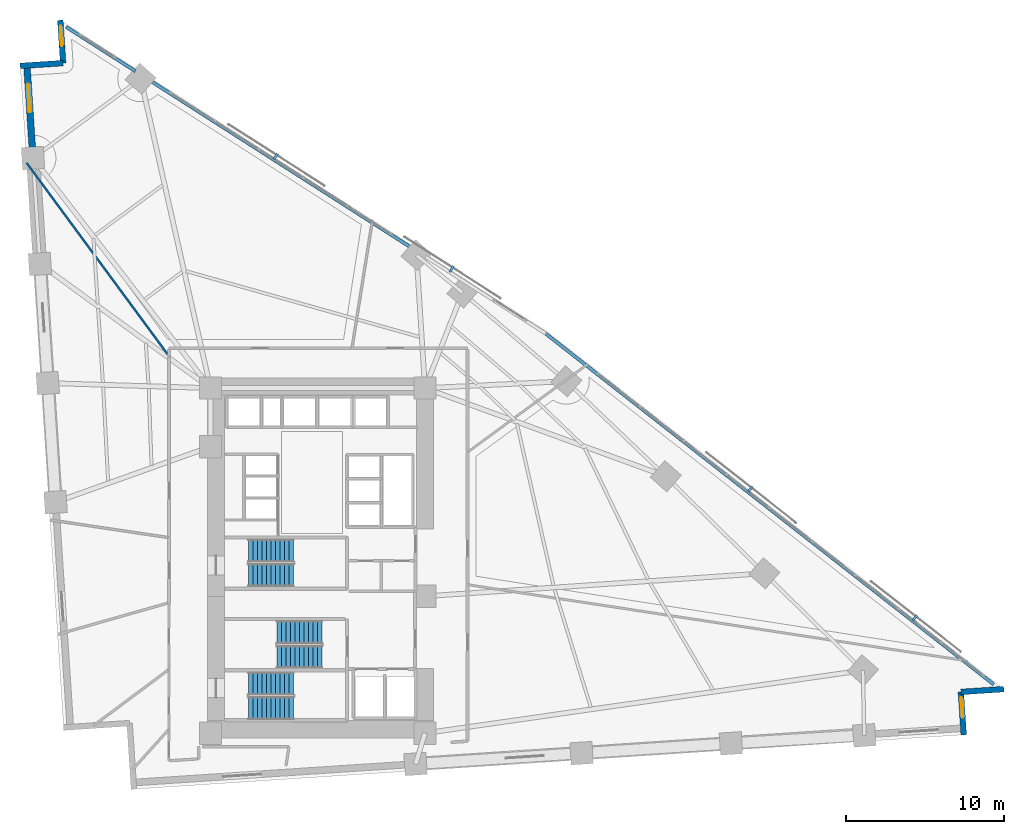
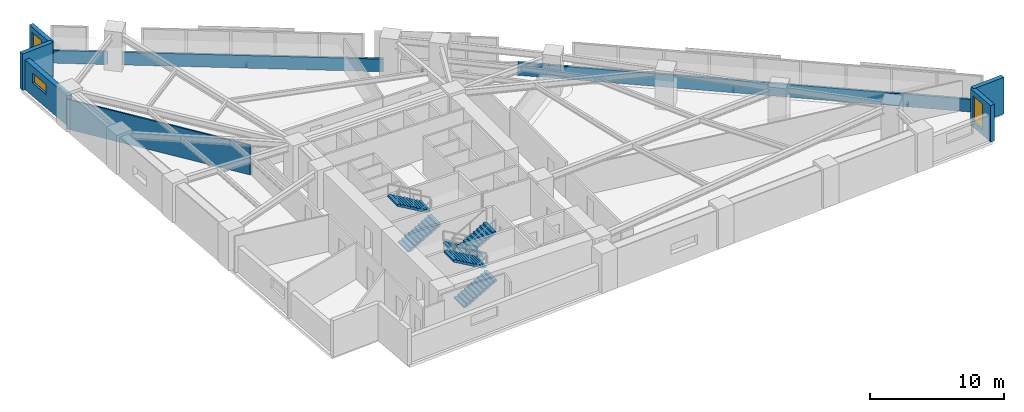
# One storey, part 14 of 16: 9 walls, 6 stair flights, 4 discrete accessories, 3 windows, 3 openings, 3 elements without a shape of their own.
"""IFC4 building model written with IfcOpenShell, lengths in metres."""

from ifc_helpers import new_model, si_unit, direction, frame, frame_2d, origin, origin_2d, place, context, subcontext, project, spatial, polyline, rectangle, outline, extrude, material, layer, layer_set, type_object, element, fill, aggregate, save


model = new_model("IFC4")

# Units and contexts
model_context = context("Model", 3, precision=1e-05, world=origin(), true_north=direction((0.0, 1.0)))
body_context = subcontext(model_context, "Body", "Model", "MODEL_VIEW")
ifc_project = project(units=[si_unit("LENGTHUNIT", "METRE"), si_unit("AREAUNIT", "SQUARE_METRE"), si_unit("VOLUMEUNIT", "CUBIC_METRE"), si_unit("PLANEANGLEUNIT", "RADIAN"), si_unit("MASSUNIT", "GRAM", prefix="KILO")], contexts=[model_context])

# Site, building, storey
site_placement = place(None, origin())
site = spatial("IfcSite", under=ifc_project, at=site_placement, CompositionType="ELEMENT")
building_placement = place(site_placement, origin())
building = spatial("IfcBuilding", under=site, at=building_placement, Name="Narakoshi Arena Tower", CompositionType="ELEMENT")
storey_placement = place(building_placement, frame((0.0, 0.0, 88.5)))
storey = spatial("IfcBuildingStorey", under=building, at=storey_placement, Name="L23", CompositionType="ELEMENT", Elevation=88.5)

# Walls
ifc_material_1 = material(Name="Precast concrete C45/55", Category="concrete")
ifc_layer_1 = layer(ifc_material_1, 0.25)
ifc_layer_set_1 = layer_set([ifc_layer_1], Name="Precast concrete C45/55")
wall_type_1 = type_object("IfcWallType", Name="WL-PARA-250", PredefinedType="PARAPET", material=ifc_layer_set_1)
wall_1_placement = place(storey_placement, frame((121.47607421875, 37.781494140625, 0.0), z_axis=(0.0, 0.0, 1.0), x_axis=(-0.787385636484, 0.61646075257, 0.0)))
element("IfcWall", 1, at=wall_1_placement, inside=storey, type_object=wall_type_1, Name="L23 Hypotenuse Sill Upstand Parapet 1-01", PredefinedType="PARAPET", context=body_context, shape_type="SweptSolid", body=[
    extrude(rectangle(XDim=35.957275390625, YDim=0.199951171875, at=frame_2d((17.978515625, 0.0))), origin(), (0.0, 0.0, 1.0), 1.14990234375),
])
wall_2_placement = place(storey_placement, frame((84.681640625, 65.372314453125, 0.0), z_axis=(0.0, 0.0, 1.0), x_axis=(-0.842418773655, 0.538823356763, 0.0)))
element("IfcWall", 2, at=wall_2_placement, inside=storey, type_object=wall_type_1, Name="L23 Hypotenuse Sill Upstand Parapet 2-02", PredefinedType="PARAPET", context=body_context, shape_type="SweptSolid", body=[
    extrude(rectangle(XDim=19.612060546875, YDim=0.199951171875, at=frame_2d((9.80615234375, 0.0))), origin(), (0.0, 0.0, 1.0), 1.14990234375),
])
wall_3_placement = place(storey_placement, frame((67.2568359375, 76.517578125, 0.0), z_axis=(0.0, 0.0, 1.0), x_axis=(-0.842403631411, 0.538847030042, 0.0)))
element("IfcWall", 3, at=wall_3_placement, inside=storey, type_object=wall_type_1, Name="L23 Hypotenuse Sill Upstand Parapet 2-03", PredefinedType="PARAPET", context=body_context, shape_type="SweptSolid", body=[
    extrude(rectangle(XDim=5.1962890625, YDim=0.199951171875, at=frame_2d((2.59814453125, 0.0))), origin(), (0.0, 0.0, 1.0), 1.14990234375),
])
ifc_material_2 = material(Name="Gypsum plasterboard fire-rated partition")
ifc_layer_2 = layer(ifc_material_2, 0.125)
ifc_layer_set_2 = layer_set([ifc_layer_2], Name="Gypsum plasterboard fire-rated partition")
wall_type_2 = type_object("IfcWallType", Name="WL-PART-125", PredefinedType="PARTITIONING", material=ifc_layer_set_2)
wall_4_placement = place(storey_placement, frame((69.285400390625, 58.64306640625, 0.0), z_axis=(0.0, 0.0, 1.0), x_axis=(-0.59305096897, 0.805164919879, 0.0)))
element("IfcWall", 4, at=wall_4_placement, inside=storey, type_object=wall_type_2, Name="L23 Inter-Room Partition 08-09", PredefinedType="PARTITIONING", context=body_context, shape_type="SweptSolid", body=[
    extrude(rectangle(XDim=15.01806640625, YDim=0.125, at=frame_2d((7.509033203125, 0.0))), origin(), (0.0, 0.0, 1.0), 2.72509765625),
])

# Wall, opening, window
ifc_layer_3 = layer(ifc_material_1, 0.419921875)
ifc_layer_set_3 = layer_set([ifc_layer_3], Name="Precast concrete C45/55")
wall_type_3 = type_object("IfcWallType", Name="WL-POD-420", PredefinedType="SOLIDWALL", material=ifc_layer_set_3)
wall_5_placement = place(storey_placement, frame((60.40185546875, 76.8828125, 0.0), z_axis=(0.0, 0.0, 1.0), x_axis=(0.065402662459, -0.997858953832, 0.0)))
wall_5 = element("IfcWall", 5, at=wall_5_placement, inside=storey, type_object=wall_type_3, Name="L23 Architectural Concrete Facade Wall LEGB-1", PredefinedType="SOLIDWALL", context=body_context, shape_type="SweptSolid", body=[
    extrude(rectangle(XDim=5.8642578125, YDim=0.419921875, at=frame_2d((2.93212890625, 0.0))), origin(), (0.0, 0.0, 1.0), 2.72509765625),
])
opening_1_placement = place(wall_5_placement, frame((1.1708984375, 0.0, 1.199951171875)))
opening_1 = element("IfcOpeningElement", 6, at=opening_1_placement, cuts=wall_5, Name="Opening WN-02", PredefinedType="OPENING", context=body_context, shape_type="SweptSolid", body=[
    extrude(rectangle(XDim=1.800048828125, YDim=0.89990234375, at=frame_2d((0.89990234375, 0.449951171875))), frame((0.0, 0.219970703125, 0.0), z_axis=(0.0, -1.0, 0.0), x_axis=(1.0, 0.0, 0.0)), (0.0, 0.0, 1.0), 0.43994140625),
])
ifc_material_3 = material(Name="Bronze-tinted low-E laminated glass", Category="glass")
window_type_1 = type_object("IfcWindowType", Name="WIN-SLT-18x09", PartitioningType="SINGLE_PANEL", PredefinedType="WINDOW", material=ifc_material_3)
window_1_placement = place(opening_1_placement, origin())
window_1 = element("IfcWindow", 7, at=window_1_placement, inside=storey, type_object=window_type_1, Name="L23 LEGB1 Horizontal Slot Window 1", OverallHeight=0.89990234375, OverallWidth=1.800048828125, PartitioningType="SINGLE_PANEL", PredefinedType="WINDOW", context=body_context, shape_type="SweptSolid", body=[
    extrude(rectangle(XDim=1.800048828125, YDim=0.89990234375, at=frame_2d((0.89990234375, 0.449951171875))), frame((0.0, 0.030029296875, 0.0), z_axis=(0.0, -1.0, 0.0), x_axis=(1.0, 0.0, 0.0)), (0.0, 0.0, 1.0), 0.06005859375),
])
fill(opening_1, window_1)

wall_6_placement = place(storey_placement, frame((119.58447265625, 34.594482421875, 0.0), z_axis=(0.0, 0.0, 1.0), x_axis=(-0.065427374496, 0.997857333824, 0.0)))
wall_6 = element("IfcWall", 8, at=wall_6_placement, inside=storey, type_object=wall_type_3, Name="L23 Re-Entrant Corner Notch Wall NTE-1", PredefinedType="SOLIDWALL", context=body_context, shape_type="SweptSolid", body=[
    extrude(rectangle(XDim=2.716552734375, YDim=0.360107421875, at=frame_2d((1.3583984375, 0.0))), origin(), (0.0, 0.0, 1.0), 3.340087890625),
])
opening_2_placement = place(wall_6_placement, frame((1.076416015625, 0.0, 0.449951171875)))
opening_2 = element("IfcOpeningElement", 9, at=opening_2_placement, cuts=wall_6, Name="Opening WN-06", PredefinedType="OPENING", context=body_context, shape_type="SweptSolid", body=[
    extrude(rectangle(XDim=1.300048828125, YDim=2.39990234375, at=frame_2d((0.64990234375, 1.199951171875))), frame((0.0, 0.18994140625, 0.0), z_axis=(0.0, -1.0, 0.0), x_axis=(1.0, 0.0, 0.0)), (0.0, 0.0, 1.0), 0.380126953125),
])
window_type_2 = type_object("IfcWindowType", Name="WIN-NTC-16x24", PartitioningType="SINGLE_PANEL", PredefinedType="WINDOW", material=ifc_material_3)
window_2_placement = place(opening_2_placement, origin())
window_2 = element("IfcWindow", 10, at=window_2_placement, inside=storey, type_object=window_type_2, Name="L23 Corner Notch Window NTE", OverallHeight=2.39990234375, OverallWidth=1.300048828125, PartitioningType="SINGLE_PANEL", PredefinedType="WINDOW", context=body_context, shape_type="SweptSolid", body=[
    extrude(rectangle(XDim=1.300048828125, YDim=2.39990234375, at=frame_2d((0.64990234375, 1.199951171875))), frame((0.0, 0.030029296875, 0.0), z_axis=(0.0, -1.0, 0.0), x_axis=(1.0, 0.0, 0.0)), (0.0, 0.0, 1.0), 0.06005859375),
])
fill(opening_2, window_2)

# Wall
wall_7_placement = place(storey_placement, frame((119.40673828125, 37.30517578125, 0.0), z_axis=(0.0, 0.0, 1.0), x_axis=(0.99785694905, 0.065433242561, 0.0)))
element("IfcWall", 11, at=wall_7_placement, inside=storey, type_object=wall_type_3, Name="L23 Re-Entrant Corner Notch Wall NTE-2", PredefinedType="SOLIDWALL", context=body_context, shape_type="SweptSolid", body=[
    extrude(rectangle(XDim=2.71630859375, YDim=0.360107421875, at=frame_2d((1.358154296875, 0.0))), origin(), (0.0, 0.0, 1.0), 3.340087890625),
])

# Wall, opening, window
wall_8_placement = place(storey_placement, frame((62.5107421875, 79.743408203125, 0.0), z_axis=(0.0, 0.0, 1.0), x_axis=(0.065337885661, -0.997863197386, 0.0)))
wall_8 = element("IfcWall", 12, at=wall_8_placement, inside=storey, type_object=wall_type_3, Name="L23 Re-Entrant Corner Notch Wall NTN-1", PredefinedType="SOLIDWALL", context=body_context, shape_type="SweptSolid", body=[
    extrude(rectangle(XDim=2.716552734375, YDim=0.360107421875, at=frame_2d((1.3583984375, 0.0))), origin(), (0.0, 0.0, 1.0), 3.340087890625),
])
opening_3_placement = place(wall_8_placement, frame((0.340087890625, 0.0, 0.449951171875)))
opening_3 = element("IfcOpeningElement", 13, at=opening_3_placement, cuts=wall_8, Name="Opening WN-06", PredefinedType="OPENING", context=body_context, shape_type="SweptSolid", body=[
    extrude(rectangle(XDim=1.300048828125, YDim=2.39990234375, at=frame_2d((0.64990234375, 1.199951171875))), frame((0.0, 0.18994140625, 0.0), z_axis=(0.0, -1.0, 0.0), x_axis=(1.0, 0.0, 0.0)), (0.0, 0.0, 1.0), 0.380126953125),
])
window_3_placement = place(opening_3_placement, origin())
window_3 = element("IfcWindow", 14, at=window_3_placement, inside=storey, type_object=window_type_2, Name="L23 Corner Notch Window NTN", OverallHeight=2.39990234375, OverallWidth=1.300048828125, PartitioningType="SINGLE_PANEL", PredefinedType="WINDOW", context=body_context, shape_type="SweptSolid", body=[
    extrude(rectangle(XDim=1.300048828125, YDim=2.39990234375, at=frame_2d((0.64990234375, 1.199951171875))), frame((0.0, 0.030029296875, 0.0), z_axis=(0.0, -1.0, 0.0), x_axis=(1.0, 0.0, 0.0)), (0.0, 0.0, 1.0), 0.06005859375),
])
fill(opening_3, window_3)

# Wall
wall_9_placement = place(storey_placement, frame((62.688232421875, 77.03271484375, 0.0), z_axis=(0.0, 0.0, 1.0), x_axis=(-0.99785694905, -0.065433242561, 0.0)))
element("IfcWall", 15, at=wall_9_placement, inside=storey, type_object=wall_type_3, Name="L23 Re-Entrant Corner Notch Wall NTN-2", PredefinedType="SOLIDWALL", context=body_context, shape_type="SweptSolid", body=[
    extrude(rectangle(XDim=2.71630859375, YDim=0.360107421875, at=frame_2d((1.358154296875, 0.0))), origin(), (0.0, 0.0, 1.0), 3.340087890625),
])

# Stair, stair flights
ifc_material_4 = material(Name="Concrete C45/55", Category="concrete")
stair_type = type_object("IfcStairType", Name="STR-CORE-360", PredefinedType="TWO_STRAIGHT_RUN_STAIR", material=ifc_material_4)
stair_1_placement = place(storey_placement, origin())
stair_1 = element("IfcStair", 16, at=stair_1_placement, inside=storey, type_object=stair_type, Name="L23 Core Escape Stair ST1", PredefinedType="TWO_STRAIGHT_RUN_STAIR")
stair_flight_type = type_object("IfcStairFlightType", Name="FLT-145-160", PredefinedType="STRAIGHT", material=ifc_material_1)
stair_flight_1_placement = place(storey_placement, frame((74.39990234375, 36.27490234375, 0.0), z_axis=(0.0, 0.0, 1.0), x_axis=(1.0, 0.0, 0.0)))
stair_flight_1 = element("IfcStairFlight", 17, at=stair_flight_1_placement, type_object=stair_flight_type, Name="ST1 flight 1", NumberOfRisers=11, NumberOfTreads=10, PredefinedType="STRAIGHT", RiserHeight=0.163636364, TreadLength=0.285, context=body_context, shape_type="SweptSolid", body=[
    extrude(outline(polyline([(0.0, 0.0), (0.0, 0.16357421875), (0.284912109375, 0.16357421875), (0.284912109375, 0.327392578125), (0.570068359375, 0.327392578125), (0.570068359375, 0.490966796875), (0.85498046875, 0.490966796875), (0.85498046875, 0.654541015625), (1.139892578125, 0.654541015625), (1.139892578125, 0.818115234375), (1.425048828125, 0.818115234375), (1.425048828125, 0.98193359375), (1.7099609375, 0.98193359375), (1.7099609375, 1.1455078125), (1.9951171875, 1.1455078125), (1.9951171875, 1.30908203125), (2.280029296875, 1.30908203125), (2.280029296875, 1.47265625), (2.56494140625, 1.47265625), (2.56494140625, 1.636474609375), (2.85009765625, 1.636474609375), (2.85009765625, 1.800048828125), (2.85009765625, 1.463623046875), (0.301025390625, 0.0), (0.0, 0.0)])), frame((0.0, 0.72509765625, 0.0), z_axis=(0.0, -1.0, 0.0), x_axis=(1.0, 0.0, 0.0)), (0.0, 0.0, 1.0), 1.449951171875),
])
stair_flight_2_placement = place(storey_placement, frame((77.25, 37.824951171875, 1.800048828125), z_axis=(0.0, 0.0, 1.0), x_axis=(-1.0, 0.0, 0.0)))
stair_flight_2 = element("IfcStairFlight", 18, at=stair_flight_2_placement, type_object=stair_flight_type, Name="ST1 flight 2", NumberOfRisers=11, NumberOfTreads=10, PredefinedType="STRAIGHT", RiserHeight=0.163636364, TreadLength=0.285, context=body_context, shape_type="SweptSolid", body=[
    extrude(outline(polyline([(0.0, 0.0), (0.0, 0.16357421875), (0.284912109375, 0.16357421875), (0.284912109375, 0.327392578125), (0.570068359375, 0.327392578125), (0.570068359375, 0.490966796875), (0.85498046875, 0.490966796875), (0.85498046875, 0.654541015625), (1.139892578125, 0.654541015625), (1.139892578125, 0.818115234375), (1.425048828125, 0.818115234375), (1.425048828125, 0.98193359375), (1.7099609375, 0.98193359375), (1.7099609375, 1.1455078125), (1.9951171875, 1.1455078125), (1.9951171875, 1.30908203125), (2.280029296875, 1.30908203125), (2.280029296875, 1.47265625), (2.56494140625, 1.47265625), (2.56494140625, 1.636474609375), (2.85009765625, 1.636474609375), (2.85009765625, 1.800048828125), (2.85009765625, 1.463623046875), (0.301025390625, 0.0), (0.0, 0.0)])), frame((0.0, 0.72509765625, 0.0), z_axis=(0.0, -1.0, 0.0), x_axis=(1.0, 0.0, 0.0)), (0.0, 0.0, 1.0), 1.449951171875),
])
aggregate(stair_1, [stair_flight_1, stair_flight_2])

stair_2_placement = place(storey_placement, origin())
stair_2 = element("IfcStair", 19, at=stair_2_placement, inside=storey, type_object=stair_type, Name="L23 Core Escape Stair ST2", PredefinedType="TWO_STRAIGHT_RUN_STAIR")
stair_flight_3_placement = place(storey_placement, frame((79.050048828125, 41.074951171875, 0.0), z_axis=(0.0, 0.0, 1.0), x_axis=(-1.0, 0.0, 0.0)))
stair_flight_3 = element("IfcStairFlight", 20, at=stair_flight_3_placement, type_object=stair_flight_type, Name="ST2 flight 1", NumberOfRisers=11, NumberOfTreads=10, PredefinedType="STRAIGHT", RiserHeight=0.163636364, TreadLength=0.285, context=body_context, shape_type="SweptSolid", body=[
    extrude(outline(polyline([(0.0, 0.0), (0.0, 0.16357421875), (0.284912109375, 0.16357421875), (0.284912109375, 0.327392578125), (0.570068359375, 0.327392578125), (0.570068359375, 0.490966796875), (0.85498046875, 0.490966796875), (0.85498046875, 0.654541015625), (1.139892578125, 0.654541015625), (1.139892578125, 0.818115234375), (1.425048828125, 0.818115234375), (1.425048828125, 0.98193359375), (1.7099609375, 0.98193359375), (1.7099609375, 1.1455078125), (1.9951171875, 1.1455078125), (1.9951171875, 1.30908203125), (2.280029296875, 1.30908203125), (2.280029296875, 1.47265625), (2.56494140625, 1.47265625), (2.56494140625, 1.636474609375), (2.85009765625, 1.636474609375), (2.85009765625, 1.800048828125), (2.85009765625, 1.463623046875), (0.301025390625, 0.0), (0.0, 0.0)])), frame((0.0, 0.72509765625, 0.0), z_axis=(0.0, -1.0, 0.0), x_axis=(1.0, 0.0, 0.0)), (0.0, 0.0, 1.0), 1.449951171875),
])
stair_flight_4_placement = place(storey_placement, frame((76.199951171875, 39.52490234375, 1.800048828125), z_axis=(0.0, 0.0, 1.0), x_axis=(1.0, 0.0, 0.0)))
stair_flight_4 = element("IfcStairFlight", 21, at=stair_flight_4_placement, type_object=stair_flight_type, Name="ST2 flight 2", NumberOfRisers=11, NumberOfTreads=10, PredefinedType="STRAIGHT", RiserHeight=0.163636364, TreadLength=0.285, context=body_context, shape_type="SweptSolid", body=[
    extrude(outline(polyline([(0.0, 0.0), (0.0, 0.16357421875), (0.284912109375, 0.16357421875), (0.284912109375, 0.327392578125), (0.570068359375, 0.327392578125), (0.570068359375, 0.490966796875), (0.85498046875, 0.490966796875), (0.85498046875, 0.654541015625), (1.139892578125, 0.654541015625), (1.139892578125, 0.818115234375), (1.425048828125, 0.818115234375), (1.425048828125, 0.98193359375), (1.7099609375, 0.98193359375), (1.7099609375, 1.1455078125), (1.9951171875, 1.1455078125), (1.9951171875, 1.30908203125), (2.280029296875, 1.30908203125), (2.280029296875, 1.47265625), (2.56494140625, 1.47265625), (2.56494140625, 1.636474609375), (2.85009765625, 1.636474609375), (2.85009765625, 1.800048828125), (2.85009765625, 1.463623046875), (0.301025390625, 0.0), (0.0, 0.0)])), frame((0.0, 0.72509765625, 0.0), z_axis=(0.0, -1.0, 0.0), x_axis=(1.0, 0.0, 0.0)), (0.0, 0.0, 1.0), 1.449951171875),
])
aggregate(stair_2, [stair_flight_3, stair_flight_4])

stair_3_placement = place(storey_placement, origin())
stair_3 = element("IfcStair", 22, at=stair_3_placement, inside=storey, type_object=stair_type, Name="L23 Core Escape Stair ST3", PredefinedType="TWO_STRAIGHT_RUN_STAIR")
stair_flight_5_placement = place(storey_placement, frame((74.39990234375, 44.675048828125, 0.0), z_axis=(0.0, 0.0, 1.0), x_axis=(1.0, 0.0, 0.0)))
stair_flight_5 = element("IfcStairFlight", 23, at=stair_flight_5_placement, type_object=stair_flight_type, Name="ST3 flight 1", NumberOfRisers=11, NumberOfTreads=10, PredefinedType="STRAIGHT", RiserHeight=0.163636364, TreadLength=0.285, context=body_context, shape_type="SweptSolid", body=[
    extrude(outline(polyline([(0.0, 0.0), (0.0, 0.16357421875), (0.284912109375, 0.16357421875), (0.284912109375, 0.327392578125), (0.570068359375, 0.327392578125), (0.570068359375, 0.490966796875), (0.85498046875, 0.490966796875), (0.85498046875, 0.654541015625), (1.139892578125, 0.654541015625), (1.139892578125, 0.818115234375), (1.425048828125, 0.818115234375), (1.425048828125, 0.98193359375), (1.7099609375, 0.98193359375), (1.7099609375, 1.1455078125), (1.9951171875, 1.1455078125), (1.9951171875, 1.30908203125), (2.280029296875, 1.30908203125), (2.280029296875, 1.47265625), (2.56494140625, 1.47265625), (2.56494140625, 1.636474609375), (2.85009765625, 1.636474609375), (2.85009765625, 1.800048828125), (2.85009765625, 1.463623046875), (0.301025390625, 0.0), (0.0, 0.0)])), frame((0.0, 0.72509765625, 0.0), z_axis=(0.0, -1.0, 0.0), x_axis=(1.0, 0.0, 0.0)), (0.0, 0.0, 1.0), 1.449951171875),
])
stair_flight_6_placement = place(storey_placement, frame((77.25, 46.22509765625, 1.800048828125), z_axis=(0.0, 0.0, 1.0), x_axis=(-1.0, 0.0, 0.0)))
stair_flight_6 = element("IfcStairFlight", 24, at=stair_flight_6_placement, type_object=stair_flight_type, Name="ST3 flight 2", NumberOfRisers=11, NumberOfTreads=10, PredefinedType="STRAIGHT", RiserHeight=0.163636364, TreadLength=0.285, context=body_context, shape_type="SweptSolid", body=[
    extrude(outline(polyline([(0.0, 0.0), (0.0, 0.16357421875), (0.284912109375, 0.16357421875), (0.284912109375, 0.327392578125), (0.570068359375, 0.327392578125), (0.570068359375, 0.490966796875), (0.85498046875, 0.490966796875), (0.85498046875, 0.654541015625), (1.139892578125, 0.654541015625), (1.139892578125, 0.818115234375), (1.425048828125, 0.818115234375), (1.425048828125, 0.98193359375), (1.7099609375, 0.98193359375), (1.7099609375, 1.1455078125), (1.9951171875, 1.1455078125), (1.9951171875, 1.30908203125), (2.280029296875, 1.30908203125), (2.280029296875, 1.47265625), (2.56494140625, 1.47265625), (2.56494140625, 1.636474609375), (2.85009765625, 1.636474609375), (2.85009765625, 1.800048828125), (2.85009765625, 1.463623046875), (0.301025390625, 0.0), (0.0, 0.0)])), frame((0.0, 0.72509765625, 0.0), z_axis=(0.0, -1.0, 0.0), x_axis=(1.0, 0.0, 0.0)), (0.0, 0.0, 1.0), 1.449951171875),
])
aggregate(stair_3, [stair_flight_5, stair_flight_6])

# Discrete accessories
ifc_material_5 = material(Name="Structural steel S355J2", Category="steel")
discrete_accessory_type = type_object("IfcDiscreteAccessoryType", Name="ACC-BRK-SCR", PredefinedType="BRACKET", material=ifc_material_5)
for number, where, z_axis, x_axis, name in (
    (25, (116.497314453125, 41.984375, -0.080078125), (0.0, 0.0, 1.0), (-0.787387121413, 0.616458855912, 0.0), "L23 Solar Screen Support Bracket SHD-L23-SCR1-1"),
    (26, (106.103759765625, 50.12158203125, -0.080078125), (0.0, 0.0, 1.0), (-0.787387121413, 0.616458855912, 0.0), "L23 Solar Screen Support Bracket SHD-L23-SCR1-2"),
    (27, (87.239990234375, 64.020751953125, -0.080078125), (0.0, 0.0, 1.0), (-0.842414781658, 0.538829597966, 0.0), "L23 Solar Screen Support Bracket SHD-L23-SCR2-1"),
    (28, (76.1201171875, 71.13330078125, -0.080078125), (0.0, 0.0, 1.0), (-0.842414781658, 0.538829597966, 0.0), "L23 Solar Screen Support Bracket SHD-L23-SCR2-2"),
):
    element("IfcDiscreteAccessory", number, at=place(storey_placement, frame(where, z_axis=z_axis, x_axis=x_axis)), inside=storey, type_object=discrete_accessory_type, Name=name, PredefinedType="BRACKET", context=body_context, shape_type="SweptSolid", body=[
        extrude(rectangle(XDim=0.159912109375, YDim=0.425048828125, at=origin_2d()), origin(), (0.0, 0.0, 1.0), 0.199951171875),
    ])

save(model, "model.ifc")
